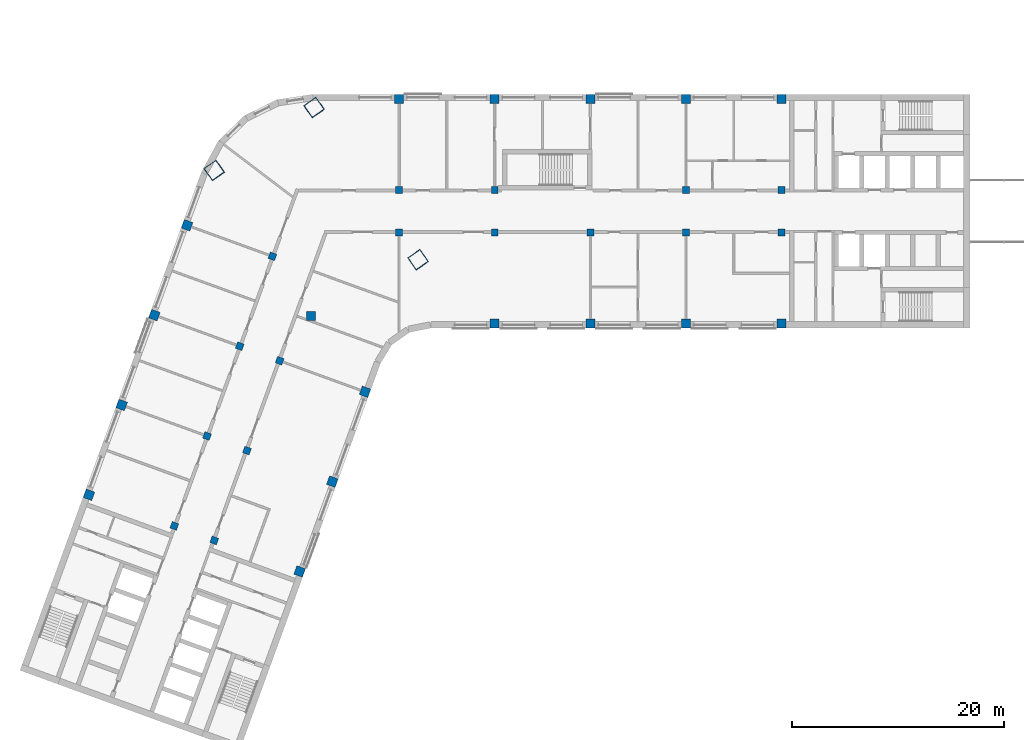
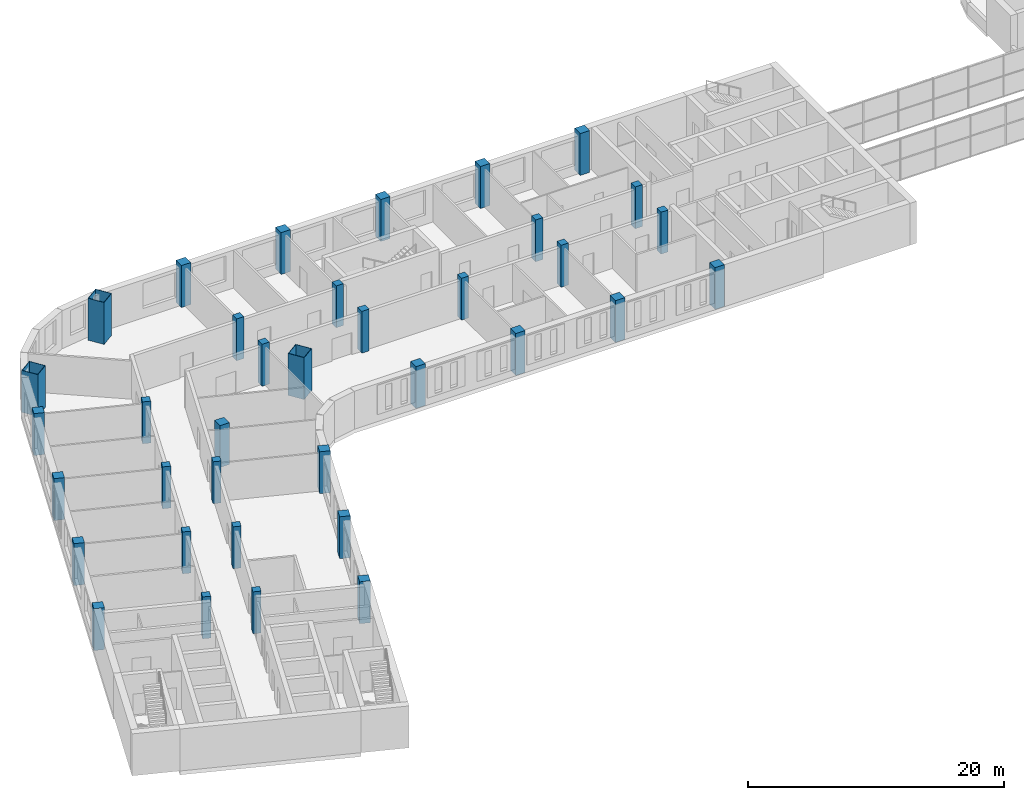
# One storey, part 1 of 11: 36 columns.
"""IFC4 building model written with IfcOpenShell, lengths in metres."""

from ifc_helpers import new_model, si_unit, direction, frame, origin, origin_2d, place, context, subcontext, project, spatial, rectangle, hollow_rectangle, extrude, material, material_profile, profile_set, type_object, element, save


model = new_model("IFC4")

# Units and contexts
model_context = context("Model", 3, precision=1e-05, world=origin(), true_north=direction((0.0, 1.0)))
body_context = subcontext(model_context, "Body", "Model", "MODEL_VIEW")
ifc_project = project(units=[si_unit("LENGTHUNIT", "METRE"), si_unit("AREAUNIT", "SQUARE_METRE"), si_unit("VOLUMEUNIT", "CUBIC_METRE"), si_unit("PLANEANGLEUNIT", "RADIAN"), si_unit("MASSUNIT", "GRAM", prefix="KILO")], contexts=[model_context])

# Site, building, storey
site_placement = place(None, origin())
site = spatial("IfcSite", under=ifc_project, at=site_placement, CompositionType="ELEMENT")
building_placement = place(site_placement, origin())
building = spatial("IfcBuilding", under=site, at=building_placement, Name="Skarvind Civic Tower", CompositionType="ELEMENT")
storey_placement = place(building_placement, frame((0.0, 0.0, 113.0)))
storey = spatial("IfcBuildingStorey", under=building, at=storey_placement, Name="L26", CompositionType="ELEMENT", Elevation=113.0)

# Columns
ifc_material_1 = material(Name="Concrete C60", Category="concrete")
ifc_material_profile_1 = material_profile(ifc_material_1, rectangle(XDim=0.64990234375, YDim=0.64990234375, at=origin_2d()), Name="RC-650x650")
ifc_profile_set_1 = profile_set([ifc_material_profile_1], Name="Concrete C60")
column_type_1 = type_object("IfcColumnType", Name="Column RC-650x650 C60", PredefinedType="COLUMN", material=ifc_profile_set_1)
for number, where, z_axis, x_axis, name in (
    (1, (54.25, 130.0, 0.0), (0.0, 0.0, 1.0), (1.0, 0.0, 0.0), "Column wing 1 north inner 02 L26"),
    (2, (63.25, 130.0, 0.0), (0.0, 0.0, 1.0), (1.0, 0.0, 0.0), "Column wing 1 north inner 03 L26"),
    (3, (81.25, 130.0, 0.0), (0.0, 0.0, 1.0), (1.0, 0.0, 0.0), "Column wing 1 north inner 05 L26"),
    (4, (90.25, 130.0, 0.0), (0.0, 0.0, 1.0), (1.0, 0.0, 0.0), "Column wing 1 north inner 06 L26"),
    (5, (54.25, 126.0, 0.0), (0.0, 0.0, 1.0), (1.0, 0.0, 0.0), "Column wing 1 south inner 02 L26"),
    (6, (63.25, 126.0, 0.0), (0.0, 0.0, 1.0), (1.0, 0.0, 0.0), "Column wing 1 south inner 03 L26"),
    (7, (72.25, 126.0, 0.0), (0.0, 0.0, 1.0), (1.0, 0.0, 0.0), "Column wing 1 south inner 04 L26"),
    (8, (81.25, 126.0, 0.0), (0.0, 0.0, 1.0), (1.0, 0.0, 0.0), "Column wing 1 south inner 05 L26"),
    (9, (90.25, 126.0, 0.0), (0.0, 0.0, 1.0), (1.0, 0.0, 0.0), "Column wing 1 south inner 06 L26"),
    (10, (43.005615234375, 113.92529296875, 0.0), (0.0, 0.0, 1.0), (-0.342020143326, -0.939692620786, 0.0), "Column wing 2 left inner 02 L26"),
    (11, (39.927490234375, 105.468017578125, 0.0), (0.0, 0.0, 1.0), (-0.342020143326, -0.939692620786, 0.0), "Column wing 2 left inner 03 L26"),
    (12, (36.84912109375, 97.010986328125, 0.0), (0.0, 0.0, 1.0), (-0.342020143326, -0.939692620786, 0.0), "Column wing 2 left inner 04 L26"),
    (13, (42.324951171875, 123.750732421875, 0.0), (0.0, 0.0, 1.0), (-0.342020143326, -0.939692620786, 0.0), "Column wing 2 right inner 01 L26"),
    (14, (39.246826171875, 115.29345703125, 0.0), (0.0, 0.0, 1.0), (-0.342020143326, -0.939692620786, 0.0), "Column wing 2 right inner 02 L26"),
    (15, (36.168701171875, 106.836181640625, 0.0), (0.0, 0.0, 1.0), (-0.342020143326, -0.939692620786, 0.0), "Column wing 2 right inner 03 L26"),
    (16, (33.090576171875, 98.37890625, 0.0), (0.0, 0.0, 1.0), (-0.342020143326, -0.939692620786, 0.0), "Column wing 2 right inner 04 L26"),
):
    element("IfcColumn", number, at=place(storey_placement, frame(where, z_axis=z_axis, x_axis=x_axis)), inside=storey, type_object=column_type_1, Name=name, PredefinedType="COLUMN", context=body_context, shape_type="SweptSolid", body=[
        extrude(rectangle(XDim=0.64990234375, YDim=0.64990234375, at=origin_2d()), origin(), (0.0, 0.0, 1.0), 4.0),
    ])
ifc_material_2 = material(Name="Concrete C80", Category="concrete")
ifc_material_profile_2 = material_profile(ifc_material_2, rectangle(XDim=0.85009765625, YDim=0.85009765625, at=origin_2d()), Name="RC-850x850")
ifc_profile_set_2 = profile_set([ifc_material_profile_2], Name="Concrete C80")
column_type_2 = type_object("IfcColumnType", Name="Column RC-850x850 C80", PredefinedType="COLUMN", material=ifc_profile_set_2)
for number, where, z_axis, x_axis, name in (
    (17, (54.25, 138.550048828125, 0.0), (0.0, 0.0, 1.0), (1.0, 0.0, 0.0), "Column wing 1 north perimeter 02 L26"),
    (18, (63.25, 138.550048828125, 0.0), (0.0, 0.0, 1.0), (1.0, 0.0, 0.0), "Column wing 1 north perimeter 03 L26"),
    (19, (72.25, 138.550048828125, 0.0), (0.0, 0.0, 1.0), (1.0, 0.0, 0.0), "Column wing 1 north perimeter 04 L26"),
    (20, (81.25, 138.550048828125, 0.0), (0.0, 0.0, 1.0), (1.0, 0.0, 0.0), "Column wing 1 north perimeter 05 L26"),
    (21, (90.25, 138.550048828125, 0.0), (0.0, 0.0, 1.0), (1.0, 0.0, 0.0), "Column wing 1 north perimeter 06 L26"),
    (22, (45.95166015625, 118.151611328125, 0.0), (0.0, 0.0, 1.0), (1.0, 0.0, 0.0), "Column wing 1 south perimeter 01 L26"),
    (23, (63.25, 117.449951171875, 0.0), (0.0, 0.0, 1.0), (1.0, 0.0, 0.0), "Column wing 1 south perimeter 03 L26"),
    (24, (72.25, 117.449951171875, 0.0), (0.0, 0.0, 1.0), (1.0, 0.0, 0.0), "Column wing 1 south perimeter 04 L26"),
    (25, (81.25, 117.449951171875, 0.0), (0.0, 0.0, 1.0), (1.0, 0.0, 0.0), "Column wing 1 south perimeter 05 L26"),
    (26, (90.25, 117.449951171875, 0.0), (0.0, 0.0, 1.0), (1.0, 0.0, 0.0), "Column wing 1 south perimeter 06 L26"),
    (27, (51.0400390625, 111.0009765625, 0.0), (0.0, 0.0, 1.0), (-0.342020143326, -0.939692620786, 0.0), "Column wing 2 left perimeter 02 L26"),
    (28, (47.961669921875, 102.5439453125, 0.0), (0.0, 0.0, 1.0), (-0.342020143326, -0.939692620786, 0.0), "Column wing 2 left perimeter 03 L26"),
    (29, (44.883544921875, 94.086669921875, 0.0), (0.0, 0.0, 1.0), (-0.342020143326, -0.939692620786, 0.0), "Column wing 2 left perimeter 04 L26"),
    (30, (34.29052734375, 126.6748046875, 0.0), (0.0, 0.0, 1.0), (-0.342020143326, -0.939692620786, 0.0), "Column wing 2 right perimeter 01 L26"),
    (31, (31.21240234375, 118.2177734375, 0.0), (0.0, 0.0, 1.0), (-0.342020143326, -0.939692620786, 0.0), "Column wing 2 right perimeter 02 L26"),
    (32, (28.13427734375, 109.760498046875, 0.0), (0.0, 0.0, 1.0), (-0.342020143326, -0.939692620786, 0.0), "Column wing 2 right perimeter 03 L26"),
    (33, (25.05615234375, 101.30322265625, 0.0), (0.0, 0.0, 1.0), (-0.342020143326, -0.939692620786, 0.0), "Column wing 2 right perimeter 04 L26"),
):
    element("IfcColumn", number, at=place(storey_placement, frame(where, z_axis=z_axis, x_axis=x_axis)), inside=storey, type_object=column_type_2, Name=name, PredefinedType="COLUMN", context=body_context, shape_type="SweptSolid", body=[
        extrude(rectangle(XDim=0.85009765625, YDim=0.85009765625, at=origin_2d()), origin(), (0.0, 0.0, 1.0), 4.0),
    ])
ifc_material_3 = material(Name="Composite concrete-filled steel tube, Steel SM355 with Concrete C80", Category="concrete")
ifc_material_profile_3 = material_profile(ifc_material_3, hollow_rectangle(XDim=1.39990234375, YDim=1.39990234375, WallThickness=0.0400390625, at=origin_2d()), Name="BOX-1400x1400x40")
ifc_profile_set_3 = profile_set([ifc_material_profile_3], Name="Composite concrete-filled steel tube, Steel SM355 with Concrete C80")
column_type_3 = type_object("IfcColumnType", Name="Mega column BOX-1400x1400x40 filled C80", PredefinedType="COLUMN", material=ifc_profile_set_3)
for number, where, z_axis, x_axis, name in (
    (34, (36.845947265625, 131.837646484375, 0.0), (0.0, 0.0, 1.0), (0.573576436351, -0.819152044289, 0.0), "Mega column 1 L26"),
    (35, (46.2470703125, 137.762451171875, 0.0), (0.0, 0.0, 1.0), (0.573576436351, -0.819152044289, 0.0), "Mega column 2 L26"),
    (36, (56.0361328125, 123.43017578125, 0.0), (0.0, 0.0, 1.0), (0.573576436351, -0.819152044289, 0.0), "Mega column 4 L26"),
):
    element("IfcColumn", number, at=place(storey_placement, frame(where, z_axis=z_axis, x_axis=x_axis)), inside=storey, type_object=column_type_3, Name=name, PredefinedType="COLUMN", context=body_context, shape_type="SweptSolid", body=[
        extrude(hollow_rectangle(XDim=1.39990234375, YDim=1.39990234375, WallThickness=0.0400390625, at=origin_2d()), origin(), (0.0, 0.0, 1.0), 4.0),
    ])

save(model, "model.ifc")
